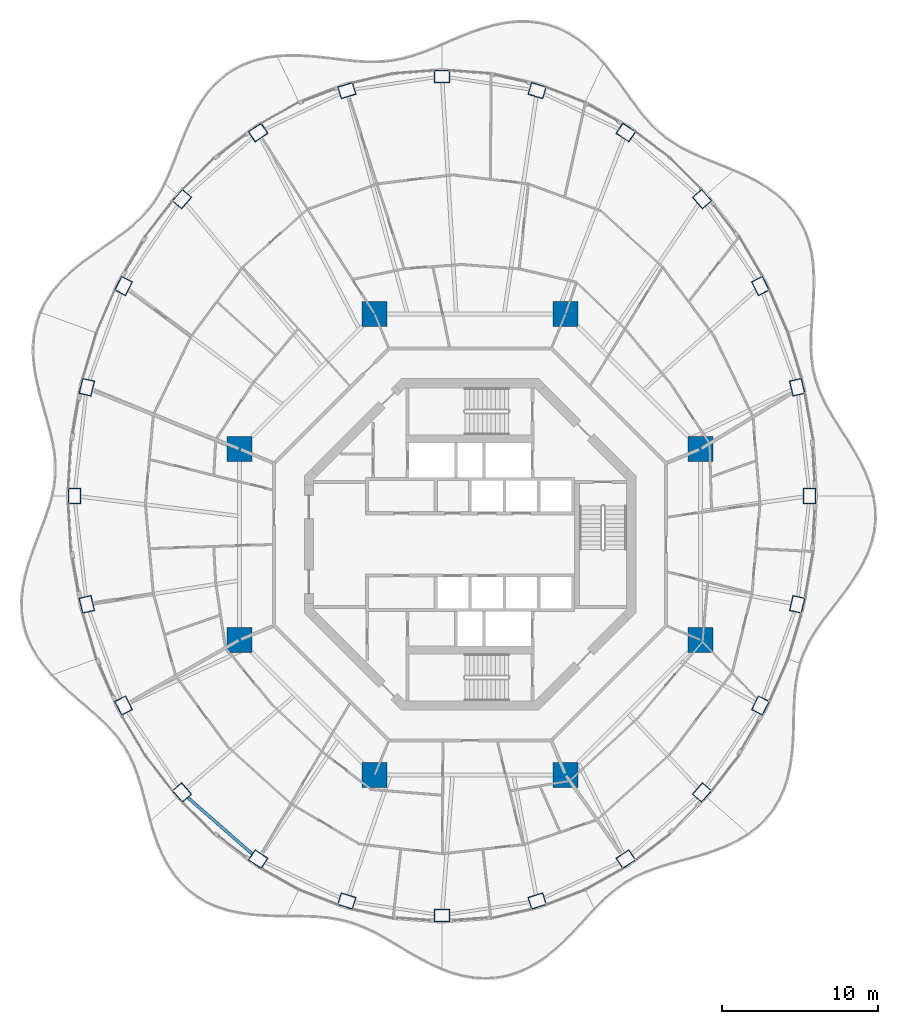
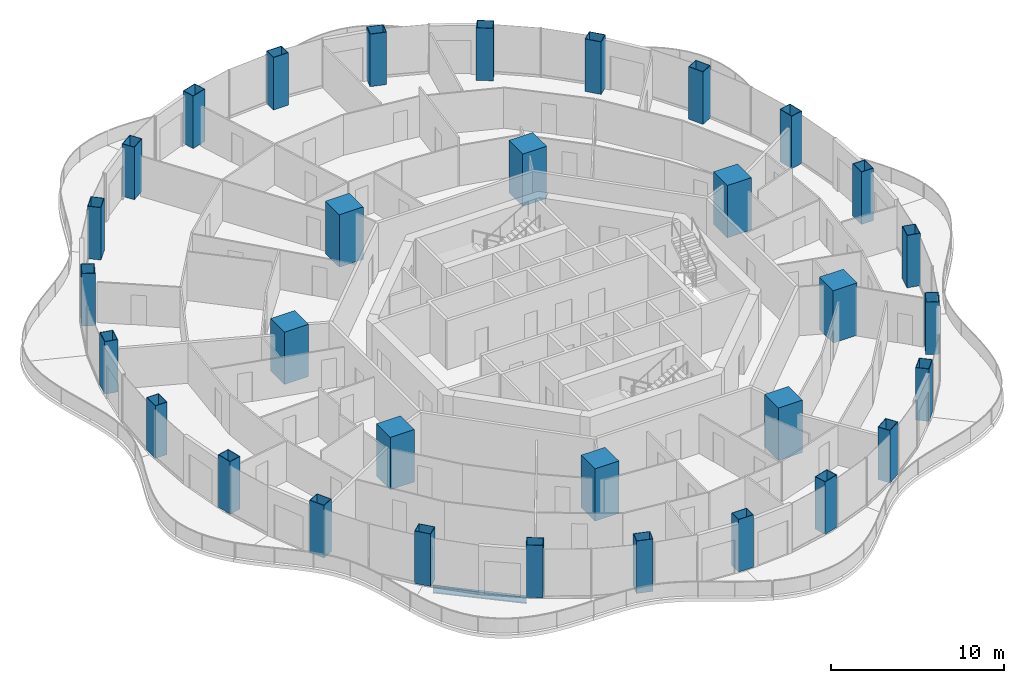
# One storey, part 1 of 18: 32 columns, 1 beam.
"""IFC4 building model written with IfcOpenShell, lengths in metres."""

from ifc_helpers import new_model, si_unit, direction, frame, origin, origin_2d, place, context, subcontext, project, spatial, rectangle, hollow_rectangle, i_section, extrude, material, material_profile, profile_set, type_object, element, save


model = new_model("IFC4")

# Units and contexts
model_context = context("Model", 3, precision=1e-05, world=origin(), true_north=direction((0.0, 1.0)))
body_context = subcontext(model_context, "Body", "Model", "MODEL_VIEW")
ifc_project = project(units=[si_unit("LENGTHUNIT", "METRE"), si_unit("AREAUNIT", "SQUARE_METRE"), si_unit("VOLUMEUNIT", "CUBIC_METRE"), si_unit("PLANEANGLEUNIT", "RADIAN"), si_unit("MASSUNIT", "GRAM", prefix="KILO")], contexts=[model_context])

# Site, building, storey
site_placement = place(None, origin())
site = spatial("IfcSite", under=ifc_project, at=site_placement, CompositionType="ELEMENT")
building_placement = place(site_placement, origin())
building = spatial("IfcBuilding", under=site, at=building_placement, Name="Nagisa Residences", CompositionType="ELEMENT")
storey_placement = place(building_placement, frame((0.0, 0.0, 219.60009765625)))
storey = spatial("IfcBuildingStorey", under=building, at=storey_placement, Name="L55", CompositionType="ELEMENT", Elevation=219.60009765625)

# Columns
ifc_material_1 = material(Name="Concrete C80", Category="concrete")
ifc_material_profile_1 = material_profile(ifc_material_1, rectangle(XDim=1.60009765625, YDim=1.60009765625, at=origin_2d()), Name="C80 1600x1600")
ifc_profile_set_1 = profile_set([ifc_material_profile_1], Name="Concrete C80")
column_type_1 = type_object("IfcColumnType", Name="Inner megacolumn C80 1600x1600", PredefinedType="COLUMN", material=ifc_profile_set_1)
for number, where, z_axis, x_axis, name in (
    (1, (14.781982421875, 6.123046875, 0.0), (0.0, 0.0, 1.0), (1.0, 0.0, 0.0), "col:L55:i1"),
    (2, (6.123046875, 14.781982421875, 0.0), (0.0, 0.0, 1.0), (1.0, 0.0, 0.0), "col:L55:i2"),
    (3, (-6.123046875, 14.781982421875, 0.0), (0.0, 0.0, 1.0), (1.0, 0.0, 0.0), "col:L55:i3"),
    (4, (-14.781982421875, 6.123046875, 0.0), (0.0, 0.0, 1.0), (1.0, 0.0, 0.0), "col:L55:i4"),
    (5, (-14.781982421875, -6.123046875, 0.0), (0.0, 0.0, 1.0), (1.0, 0.0, 0.0), "col:L55:i5"),
    (6, (-6.123046875, -14.781982421875, 0.0), (0.0, 0.0, 1.0), (1.0, 0.0, 0.0), "col:L55:i6"),
    (7, (6.123046875, -14.781982421875, 0.0), (0.0, 0.0, 1.0), (1.0, 0.0, 0.0), "col:L55:i7"),
    (8, (14.781982421875, -6.123046875, 0.0), (0.0, 0.0, 1.0), (1.0, 0.0, 0.0), "col:L55:i8"),
):
    element("IfcColumn", number, at=place(storey_placement, frame(where, z_axis=z_axis, x_axis=x_axis)), inside=storey, type_object=column_type_1, Name=name, PredefinedType="COLUMN", context=body_context, shape_type="SweptSolid", body=[
        extrude(rectangle(XDim=1.60009765625, YDim=1.60009765625, at=origin_2d()), origin(), (0.0, 0.0, 1.0), 3.699951171875),
    ])
ifc_material_2 = material(Name="Steel ASTM A572 Gr 50", Category="steel")
ifc_material_profile_2 = material_profile(ifc_material_2, hollow_rectangle(XDim=1.0, YDim=0.800048828125, WallThickness=0.031982421875, at=origin_2d()), Name="BX 1000x800x32")
ifc_profile_set_2 = profile_set([ifc_material_profile_2], Name="Steel ASTM A572 Gr 50")
column_type_2 = type_object("IfcColumnType", Name="Perimeter column BX 1000x800x32", PredefinedType="COLUMN", material=ifc_profile_set_2)
for number, where, z_axis, x_axis, name in (
    (9, (21.77001953125, 3.11767578125, 0.0), (0.0, 0.0, 1.0), (0.0, 1.0, 0.0), "col:L55:p00"),
    (10, (20.966796875, 10.077392578125, 0.0), (0.0, 0.0, 1.0), (-0.229202013103, 0.973378876486, 0.0), "col:L55:p01"),
    (11, (18.6123046875, 16.562744140625, 0.0), (0.0, 0.0, 1.0), (-0.452462697578, 0.891783329795, 0.0), "col:L55:p02"),
    (12, (14.866455078125, 22.1318359375, 0.0), (0.0, 0.0, 1.0), (-0.660114607735, 0.751164898445, 0.0), "col:L55:p03"),
    (13, (9.985107421875, 26.405029296875, 0.0), (0.0, 0.0, 1.0), (-0.835766105673, 0.54908561865, 0.0), "col:L55:p04"),
    (14, (4.30029296875, 29.091552734375, 0.0), (0.0, 0.0, 1.0), (-0.956524583408, 0.291651712384, 0.0), "col:L55:p05"),
    (15, (-1.800048828125, 30.0078125, 0.0), (0.0, 0.0, 1.0), (-1.0, 0.0, 0.0), "col:L55:p06"),
    (16, (-7.900390625, 29.091552734375, 0.0), (0.0, 0.0, 1.0), (-0.956524583408, -0.291651712384, 0.0), "col:L55:p07"),
    (17, (-13.5849609375, 26.405029296875, 0.0), (0.0, 0.0, 1.0), (-0.835766105673, -0.54908561865, 0.0), "col:L55:p08"),
    (18, (-18.466552734375, 22.1318359375, 0.0), (0.0, 0.0, 1.0), (-0.660114607735, -0.751164898445, 0.0), "col:L55:p09"),
    (19, (-22.212158203125, 16.562744140625, 0.0), (0.0, 0.0, 1.0), (-0.452462697578, -0.891783329795, 0.0), "col:L55:p10"),
    (20, (-24.56689453125, 10.077392578125, 0.0), (0.0, 0.0, 1.0), (-0.229202013103, -0.973378876486, 0.0), "col:L55:p11"),
    (21, (-25.3701171875, 3.11767578125, 0.0), (0.0, 0.0, 1.0), (0.0, -1.0, 0.0), "col:L55:p12"),
    (22, (-24.56689453125, -3.842041015625, 0.0), (0.0, 0.0, 1.0), (0.229202013103, -0.973378876486, 0.0), "col:L55:p13"),
    (23, (-22.212158203125, -10.327392578125, 0.0), (0.0, 0.0, 1.0), (0.452462697578, -0.891783329795, 0.0), "col:L55:p14"),
    (24, (-18.466552734375, -15.896484375, 0.0), (0.0, 0.0, 1.0), (0.660114607735, -0.751164898445, 0.0), "col:L55:p15"),
    (25, (-13.5849609375, -20.169677734375, 0.0), (0.0, 0.0, 1.0), (0.835766105673, -0.54908561865, 0.0), "col:L55:p16"),
    (26, (-7.900390625, -22.85595703125, 0.0), (0.0, 0.0, 1.0), (0.956524583408, -0.291651712384, 0.0), "col:L55:p17"),
    (27, (-1.800048828125, -23.772216796875, 0.0), (0.0, 0.0, 1.0), (1.0, 0.0, 0.0), "col:L55:p18"),
    (28, (4.30029296875, -22.85595703125, 0.0), (0.0, 0.0, 1.0), (0.956524583408, 0.291651712384, 0.0), "col:L55:p19"),
    (29, (9.985107421875, -20.169677734375, 0.0), (0.0, 0.0, 1.0), (0.835766105673, 0.54908561865, 0.0), "col:L55:p20"),
    (30, (14.866455078125, -15.896484375, 0.0), (0.0, 0.0, 1.0), (0.660114607735, 0.751164898445, 0.0), "col:L55:p21"),
    (31, (18.6123046875, -10.327392578125, 0.0), (0.0, 0.0, 1.0), (0.452462697578, 0.891783329795, 0.0), "col:L55:p22"),
    (32, (20.966796875, -3.842041015625, 0.0), (0.0, 0.0, 1.0), (0.229202013103, 0.973378876486, 0.0), "col:L55:p23"),
):
    element("IfcColumn", number, at=place(storey_placement, frame(where, z_axis=z_axis, x_axis=x_axis)), inside=storey, type_object=column_type_2, Name=name, PredefinedType="COLUMN", context=body_context, shape_type="SweptSolid", body=[
        extrude(hollow_rectangle(XDim=1.0, YDim=0.800048828125, WallThickness=0.031982421875, at=origin_2d()), origin(), (0.0, 0.0, 1.0), 3.699951171875),
    ])

# Beam
ifc_material_3 = material(Name="Steel ASTM A572 Gr 50", Category="steel")
ifc_material_profile_3 = material_profile(ifc_material_3, i_section(OverallWidth=0.18994140625, OverallDepth=0.45703125, WebThickness=0.009033203125, FlangeThickness=0.014404296875, at=origin_2d()), Name="W460x74")
ifc_profile_set_3 = profile_set([ifc_material_profile_3], Name="Steel ASTM A572 Gr 50")
beam_type = type_object("IfcBeamType", Name="Perimeter ring beam W460x74", PredefinedType="BEAM", material=ifc_profile_set_3)
beam_placement = place(storey_placement, frame((-18.10205078125, -16.21533203125, -0.488525390625), z_axis=(0.75242320672, -0.65867998147, 0.0), x_axis=(0.65867998147, 0.75242320672, 0.0)))
element("IfcBeam", 33, at=beam_placement, inside=storey, type_object=beam_type, Name="beam:L55:pb16", PredefinedType="BEAM", context=body_context, shape_type="SweptSolid", body=[
    extrude(i_section(OverallWidth=0.18994140625, OverallDepth=0.45703125, WebThickness=0.009033203125, FlangeThickness=0.014404296875, at=origin_2d()), origin(), (0.0, 0.0, 1.0), 5.5185546875),
])

save(model, "model.ifc")
